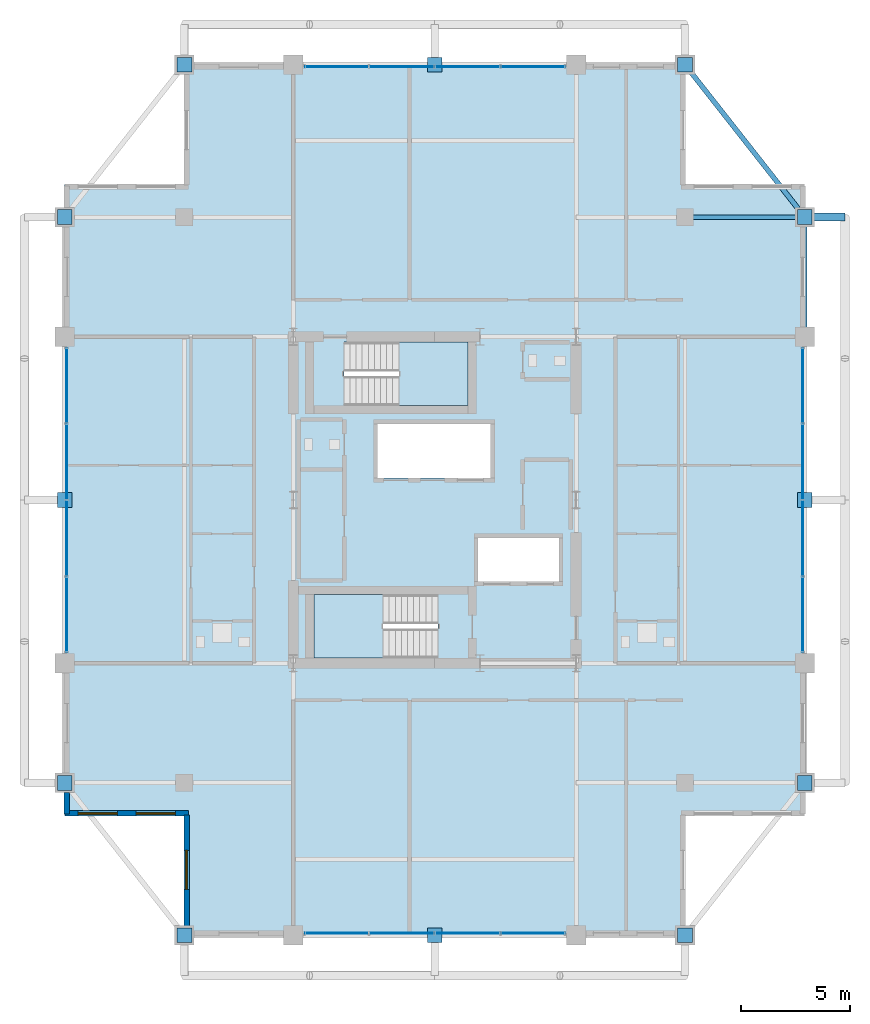
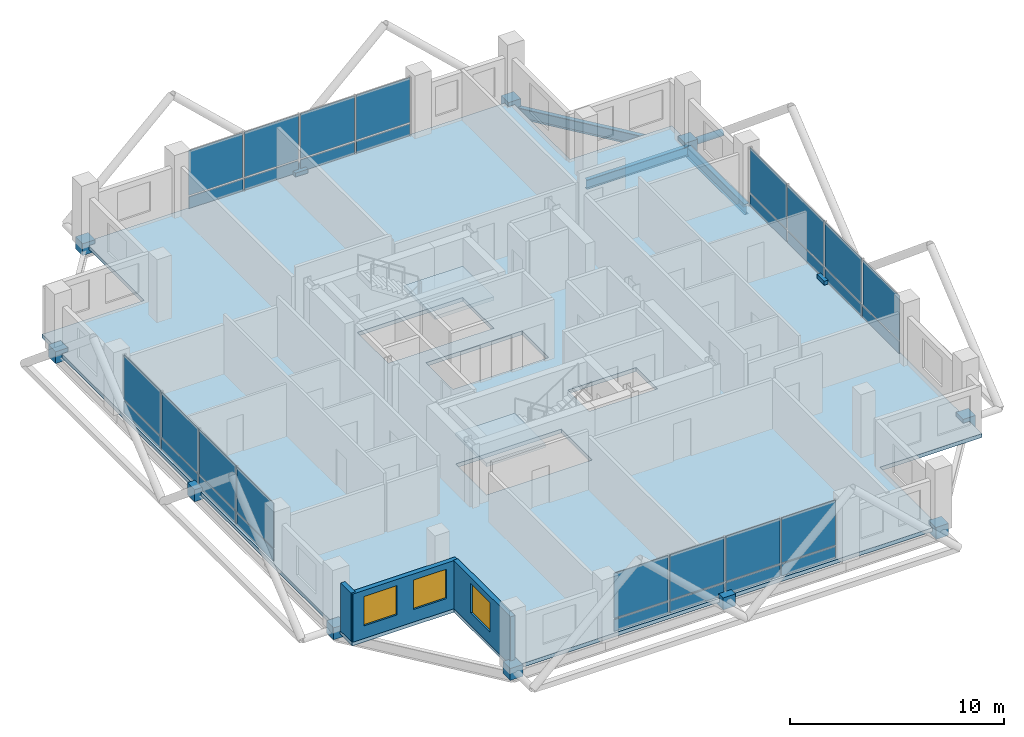
# One storey, part 18 of 24: 44 plates, 3 beams, 3 slabs, 3 walls, 3 windows, 1 member, 3 openings, 6 elements without a shape of their own.
"""IFC4 building model written with IfcOpenShell, lengths in metres."""

from ifc_helpers import new_model, si_unit, direction, frame, frame_2d, origin, origin_2d, place, context, subcontext, project, spatial, polyline, rectangle, hollow_circle, i_section, outline, extrude, material, layer, layer_set, material_profile, profile_set, type_object, element, fill, aggregate, save


model = new_model("IFC4")

# Units and contexts
model_context = context("Model", 3, precision=1e-05, world=origin(), true_north=direction((0.0, 1.0)))
body_context = subcontext(model_context, "Body", "Model", "MODEL_VIEW")
ifc_project = project(units=[si_unit("LENGTHUNIT", "METRE"), si_unit("AREAUNIT", "SQUARE_METRE"), si_unit("VOLUMEUNIT", "CUBIC_METRE"), si_unit("PLANEANGLEUNIT", "RADIAN"), si_unit("MASSUNIT", "GRAM", prefix="KILO")], contexts=[model_context])

# Site, building, storey
site_placement = place(None, origin())
site = spatial("IfcSite", under=ifc_project, at=site_placement, CompositionType="ELEMENT")
building_placement = place(site_placement, origin())
building = spatial("IfcBuilding", under=site, at=building_placement, Name="Barlavira Tower and Art Museum", CompositionType="ELEMENT")
storey_placement = place(building_placement, frame((0.0, 0.0, 294.300048828125)))
storey = spatial("IfcBuildingStorey", under=building, at=storey_placement, Name="L77", CompositionType="ELEMENT", Elevation=294.300048828125)

# Member
ifc_material_1 = material(Name="Steel S355", Category="steel")
ifc_material_profile_1 = material_profile(ifc_material_1, hollow_circle(Radius=0.177734375, WallThickness=0.01611328125, at=origin_2d()), Name="CHS 355.6x16.0")
ifc_profile_set_1 = profile_set([ifc_material_profile_1], Name="Steel S355")
member_type = type_object("IfcMemberType", Name="Pale-Metal Exoskeleton Tie Strut CHS 356x16 Steel S355", PredefinedType="STRUT", material=ifc_profile_set_1)
member_placement = place(storey_placement, frame((18.85009765625, 13.0, -0.1201171875), z_axis=(-1.0, 0.0, 0.0), x_axis=(0.0, -1.0, 0.0)))
element("IfcMember", 1, at=member_placement, inside=storey, type_object=member_type, Name="L77 Exoskeleton Tie Strut E3", PredefinedType="STRUT", context=body_context, shape_type="SweptSolid", body=[
    extrude(hollow_circle(Radius=0.177734375, WallThickness=0.01611328125, at=origin_2d()), origin(), (0.0, 0.0, 1.0), 1.85009765625),
])

# Beams
ifc_material_profile_2 = material_profile(ifc_material_1, i_section(OverallWidth=0.22998046875, OverallDepth=0.616943359375, WebThickness=0.01318359375, FlangeThickness=0.022216796875, at=origin_2d()), Name="W610x140.0")
ifc_profile_set_2 = profile_set([ifc_material_profile_2], Name="Steel S355")
beam_type_1 = type_object("IfcBeamType", Name="Upper Shaft Spandrel Edge Beam W610x140 Steel S355", PredefinedType="SPANDREL", material=ifc_profile_set_2)
beam_1_placement = place(storey_placement, frame((17.0, 7.5, -0.528564453125), z_axis=(0.0, 1.0, 0.0), x_axis=(-1.0, 0.0, 0.0)))
element("IfcBeam", 2, at=beam_1_placement, inside=storey, type_object=beam_type_1, Name="L77 Spandrel 7", PredefinedType="SPANDREL", context=body_context, shape_type="SweptSolid", body=[
    extrude(i_section(OverallWidth=0.22998046875, OverallDepth=0.616943359375, WebThickness=0.01318359375, FlangeThickness=0.022216796875, at=origin_2d()), origin(), (0.0, 0.0, 1.0), 5.5),
])
beam_2_placement = place(storey_placement, frame((17.0, 13.0, -0.528564453125), z_axis=(-0.617821551932, 0.786318338822, 0.0), x_axis=(-0.786318338822, -0.617821551932, 0.0)))
element("IfcBeam", 3, at=beam_2_placement, inside=storey, type_object=beam_type_1, Name="L77 Spandrel 8", PredefinedType="SPANDREL", context=body_context, shape_type="SweptSolid", body=[
    extrude(i_section(OverallWidth=0.22998046875, OverallDepth=0.616943359375, WebThickness=0.01318359375, FlangeThickness=0.022216796875, at=origin_2d()), origin(), (0.0, 0.0, 1.0), 8.90234375),
])
ifc_material_profile_3 = material_profile(ifc_material_1, i_section(OverallWidth=0.2109375, OverallDepth=0.5390625, WebThickness=0.01171875, FlangeThickness=0.018798828125, at=origin_2d()), Name="W530x109.0")
ifc_profile_set_3 = profile_set([ifc_material_profile_3], Name="Steel S355")
beam_type_2 = type_object("IfcBeamType", Name="Zone 3-4 Primary Floor Girder W530x109 Steel S355", PredefinedType="BEAM", material=ifc_profile_set_3)
beam_3_placement = place(storey_placement, frame((11.5, 13.0, -0.489501953125), z_axis=(1.0, 0.0, 0.0), x_axis=(0.0, 1.0, 0.0)))
element("IfcBeam", 4, at=beam_3_placement, inside=storey, type_object=beam_type_2, Name="L77 Girder I-N4", PredefinedType="BEAM", context=body_context, shape_type="SweptSolid", body=[
    extrude(i_section(OverallWidth=0.2109375, OverallDepth=0.5390625, WebThickness=0.01171875, FlangeThickness=0.018798828125, at=origin_2d()), origin(), (0.0, 0.0, 1.0), 5.5),
])

# Curtain wall, plates
ifc_material_2 = material(Name="Low-iron coastal laminated glass", Category="glass")
ifc_layer_1 = layer(ifc_material_2, 0.2099609375, Name="Low-iron coastal laminated glass")
ifc_layer_set_1 = layer_set([ifc_layer_1], Name="Low-iron coastal laminated glass")
curtain_wall_type = type_object("IfcCurtainWallType", Name="Pale-Metal Unitised Curtain Wall Zone 4", PredefinedType="NOTDEFINED", material=ifc_layer_set_1)
curtain_wall_1_placement = place(storey_placement, origin())
curtain_wall_1 = element("IfcCurtainWall", 5, at=curtain_wall_1_placement, inside=storey, type_object=curtain_wall_type, Name="L77 Curtain Wall CW4-L77-S-B2", PredefinedType="NOTDEFINED")
ifc_material_3 = material(Name="Pale anodised aluminium", Category="aluminium")
ifc_layer_2 = layer(ifc_material_3, 0.044921875, Name="Pale anodised aluminium")
ifc_layer_set_2 = layer_set([ifc_layer_2], Name="Pale anodised aluminium")
plate_type_1 = type_object("IfcPlateType", Name="Curtain Wall Pale-Metal Spandrel Panel 45", PredefinedType="CURTAIN_PANEL", material=ifc_layer_set_2)
plate_1_placement = place(storey_placement, frame((-4.5224609375, -19.89990234375, 0.0400390625), z_axis=(0.0, 0.0, 1.0), x_axis=(1.0, 0.0, 0.0)))
plate_1 = element("IfcPlate", 6, at=plate_1_placement, type_object=plate_type_1, Name="CW4-L77-S-B2 Spandrel Panel 0", PredefinedType="CURTAIN_PANEL", context=body_context, shape_type="SweptSolid", body=[
    extrude(rectangle(XDim=2.9150390625, YDim=0.044921875, at=origin_2d()), origin(), (0.0, 0.0, 1.0), 0.6640625),
])
plate_2_placement = place(storey_placement, frame((-1.507568359375, -19.89990234375, 0.0400390625), z_axis=(0.0, 0.0, 1.0), x_axis=(1.0, 0.0, 0.0)))
plate_2 = element("IfcPlate", 7, at=plate_2_placement, type_object=plate_type_1, Name="CW4-L77-S-B2 Spandrel Panel 1", PredefinedType="CURTAIN_PANEL", context=body_context, shape_type="SweptSolid", body=[
    extrude(rectangle(XDim=2.9150390625, YDim=0.044921875, at=origin_2d()), origin(), (0.0, 0.0, 1.0), 0.6640625),
])
plate_3_placement = place(storey_placement, frame((1.507568359375, -19.89990234375, 0.0400390625), z_axis=(0.0, 0.0, 1.0), x_axis=(1.0, 0.0, 0.0)))
plate_3 = element("IfcPlate", 8, at=plate_3_placement, type_object=plate_type_1, Name="CW4-L77-S-B2 Spandrel Panel 2", PredefinedType="CURTAIN_PANEL", context=body_context, shape_type="SweptSolid", body=[
    extrude(rectangle(XDim=2.9150390625, YDim=0.044921875, at=origin_2d()), origin(), (0.0, 0.0, 1.0), 0.6640625),
])
plate_4_placement = place(storey_placement, frame((4.5224609375, -19.89990234375, 0.0400390625), z_axis=(0.0, 0.0, 1.0), x_axis=(1.0, 0.0, 0.0)))
plate_4 = element("IfcPlate", 9, at=plate_4_placement, type_object=plate_type_1, Name="CW4-L77-S-B2 Spandrel Panel 3", PredefinedType="CURTAIN_PANEL", context=body_context, shape_type="SweptSolid", body=[
    extrude(rectangle(XDim=2.9150390625, YDim=0.044921875, at=origin_2d()), origin(), (0.0, 0.0, 1.0), 0.6640625),
])

curtain_wall_2_placement = place(storey_placement, origin())
curtain_wall_2 = element("IfcCurtainWall", 10, at=curtain_wall_2_placement, inside=storey, type_object=curtain_wall_type, Name="L77 Curtain Wall CW4-L77-N-B2", PredefinedType="NOTDEFINED")
plate_5_placement = place(storey_placement, frame((4.5224609375, 19.89990234375, 0.0400390625), z_axis=(0.0, 0.0, 1.0), x_axis=(-1.0, 0.0, 0.0)))
plate_5 = element("IfcPlate", 11, at=plate_5_placement, type_object=plate_type_1, Name="CW4-L77-N-B2 Spandrel Panel 0", PredefinedType="CURTAIN_PANEL", context=body_context, shape_type="SweptSolid", body=[
    extrude(rectangle(XDim=2.9150390625, YDim=0.044921875, at=origin_2d()), origin(), (0.0, 0.0, 1.0), 0.6640625),
])
plate_6_placement = place(storey_placement, frame((1.507568359375, 19.89990234375, 0.0400390625), z_axis=(0.0, 0.0, 1.0), x_axis=(-1.0, 0.0, 0.0)))
plate_6 = element("IfcPlate", 12, at=plate_6_placement, type_object=plate_type_1, Name="CW4-L77-N-B2 Spandrel Panel 1", PredefinedType="CURTAIN_PANEL", context=body_context, shape_type="SweptSolid", body=[
    extrude(rectangle(XDim=2.9150390625, YDim=0.044921875, at=origin_2d()), origin(), (0.0, 0.0, 1.0), 0.6640625),
])
plate_7_placement = place(storey_placement, frame((-1.507568359375, 19.89990234375, 0.0400390625), z_axis=(0.0, 0.0, 1.0), x_axis=(-1.0, 0.0, 0.0)))
plate_7 = element("IfcPlate", 13, at=plate_7_placement, type_object=plate_type_1, Name="CW4-L77-N-B2 Spandrel Panel 2", PredefinedType="CURTAIN_PANEL", context=body_context, shape_type="SweptSolid", body=[
    extrude(rectangle(XDim=2.9150390625, YDim=0.044921875, at=origin_2d()), origin(), (0.0, 0.0, 1.0), 0.6640625),
])
plate_8_placement = place(storey_placement, frame((-4.5224609375, 19.89990234375, 0.0400390625), z_axis=(0.0, 0.0, 1.0), x_axis=(-1.0, 0.0, 0.0)))
plate_8 = element("IfcPlate", 14, at=plate_8_placement, type_object=plate_type_1, Name="CW4-L77-N-B2 Spandrel Panel 3", PredefinedType="CURTAIN_PANEL", context=body_context, shape_type="SweptSolid", body=[
    extrude(rectangle(XDim=2.9150390625, YDim=0.044921875, at=origin_2d()), origin(), (0.0, 0.0, 1.0), 0.6640625),
])

curtain_wall_3_placement = place(storey_placement, origin())
curtain_wall_3 = element("IfcCurtainWall", 15, at=curtain_wall_3_placement, inside=storey, type_object=curtain_wall_type, Name="L77 Curtain Wall CW4-L77-W-B3", PredefinedType="NOTDEFINED")
plate_9_placement = place(storey_placement, frame((-16.89990234375, 5.2724609375, 0.0400390625), z_axis=(0.0, 0.0, 1.0), x_axis=(0.0, -1.0, 0.0)))
plate_9 = element("IfcPlate", 16, at=plate_9_placement, type_object=plate_type_1, Name="CW4-L77-W-B3 Spandrel Panel 0", PredefinedType="CURTAIN_PANEL", context=body_context, shape_type="SweptSolid", body=[
    extrude(rectangle(XDim=3.4150390625, YDim=0.044921875, at=origin_2d()), origin(), (0.0, 0.0, 1.0), 0.6640625),
])
plate_10_placement = place(storey_placement, frame((-16.89990234375, 1.757568359375, 0.0400390625), z_axis=(0.0, 0.0, 1.0), x_axis=(0.0, -1.0, 0.0)))
plate_10 = element("IfcPlate", 17, at=plate_10_placement, type_object=plate_type_1, Name="CW4-L77-W-B3 Spandrel Panel 1", PredefinedType="CURTAIN_PANEL", context=body_context, shape_type="SweptSolid", body=[
    extrude(rectangle(XDim=3.4150390625, YDim=0.044921875, at=origin_2d()), origin(), (0.0, 0.0, 1.0), 0.6640625),
])
plate_11_placement = place(storey_placement, frame((-16.89990234375, -1.757568359375, 0.0400390625), z_axis=(0.0, 0.0, 1.0), x_axis=(0.0, -1.0, 0.0)))
plate_11 = element("IfcPlate", 18, at=plate_11_placement, type_object=plate_type_1, Name="CW4-L77-W-B3 Spandrel Panel 2", PredefinedType="CURTAIN_PANEL", context=body_context, shape_type="SweptSolid", body=[
    extrude(rectangle(XDim=3.4150390625, YDim=0.044921875, at=origin_2d()), origin(), (0.0, 0.0, 1.0), 0.6640625),
])
plate_12_placement = place(storey_placement, frame((-16.89990234375, -5.2724609375, 0.0400390625), z_axis=(0.0, 0.0, 1.0), x_axis=(0.0, -1.0, 0.0)))
plate_12 = element("IfcPlate", 19, at=plate_12_placement, type_object=plate_type_1, Name="CW4-L77-W-B3 Spandrel Panel 3", PredefinedType="CURTAIN_PANEL", context=body_context, shape_type="SweptSolid", body=[
    extrude(rectangle(XDim=3.4150390625, YDim=0.044921875, at=origin_2d()), origin(), (0.0, 0.0, 1.0), 0.6640625),
])

curtain_wall_4_placement = place(storey_placement, origin())
curtain_wall_4 = element("IfcCurtainWall", 20, at=curtain_wall_4_placement, inside=storey, type_object=curtain_wall_type, Name="L77 Curtain Wall CW4-L77-E-B3", PredefinedType="NOTDEFINED")
plate_13_placement = place(storey_placement, frame((16.89990234375, -5.2724609375, 0.0400390625), z_axis=(0.0, 0.0, 1.0), x_axis=(0.0, 1.0, 0.0)))
plate_13 = element("IfcPlate", 21, at=plate_13_placement, type_object=plate_type_1, Name="CW4-L77-E-B3 Spandrel Panel 0", PredefinedType="CURTAIN_PANEL", context=body_context, shape_type="SweptSolid", body=[
    extrude(rectangle(XDim=3.4150390625, YDim=0.044921875, at=origin_2d()), origin(), (0.0, 0.0, 1.0), 0.6640625),
])
plate_14_placement = place(storey_placement, frame((16.89990234375, -1.757568359375, 0.0400390625), z_axis=(0.0, 0.0, 1.0), x_axis=(0.0, 1.0, 0.0)))
plate_14 = element("IfcPlate", 22, at=plate_14_placement, type_object=plate_type_1, Name="CW4-L77-E-B3 Spandrel Panel 1", PredefinedType="CURTAIN_PANEL", context=body_context, shape_type="SweptSolid", body=[
    extrude(rectangle(XDim=3.4150390625, YDim=0.044921875, at=origin_2d()), origin(), (0.0, 0.0, 1.0), 0.6640625),
])
plate_15_placement = place(storey_placement, frame((16.89990234375, 1.757568359375, 0.0400390625), z_axis=(0.0, 0.0, 1.0), x_axis=(0.0, 1.0, 0.0)))
plate_15 = element("IfcPlate", 23, at=plate_15_placement, type_object=plate_type_1, Name="CW4-L77-E-B3 Spandrel Panel 2", PredefinedType="CURTAIN_PANEL", context=body_context, shape_type="SweptSolid", body=[
    extrude(rectangle(XDim=3.4150390625, YDim=0.044921875, at=origin_2d()), origin(), (0.0, 0.0, 1.0), 0.6640625),
])
plate_16_placement = place(storey_placement, frame((16.89990234375, 5.2724609375, 0.0400390625), z_axis=(0.0, 0.0, 1.0), x_axis=(0.0, 1.0, 0.0)))
plate_16 = element("IfcPlate", 24, at=plate_16_placement, type_object=plate_type_1, Name="CW4-L77-E-B3 Spandrel Panel 3", PredefinedType="CURTAIN_PANEL", context=body_context, shape_type="SweptSolid", body=[
    extrude(rectangle(XDim=3.4150390625, YDim=0.044921875, at=origin_2d()), origin(), (0.0, 0.0, 1.0), 0.6640625),
])

# Plate
ifc_layer_3 = layer(ifc_material_2, 0.028076171875, Name="Low-iron coastal laminated glass")
ifc_layer_set_3 = layer_set([ifc_layer_3], Name="Low-iron coastal laminated glass")
plate_type_2 = type_object("IfcPlateType", Name="Curtain Wall Vision Glazing Panel 28", PredefinedType="CURTAIN_PANEL", material=ifc_layer_set_3)
plate_17_placement = place(storey_placement, frame((-4.5224609375, -19.89990234375, 0.7841796875), z_axis=(0.0, 0.0, 1.0), x_axis=(1.0, 0.0, 0.0)))
plate_17 = element("IfcPlate", 25, at=plate_17_placement, type_object=plate_type_2, Name="CW4-L77-S-B2 Vision Glass Panel 0", PredefinedType="CURTAIN_PANEL", context=body_context, shape_type="SweptSolid", body=[
    extrude(rectangle(XDim=2.9150390625, YDim=0.028076171875, at=origin_2d()), origin(), (0.0, 0.0, 1.0), 2.555908203125),
])

plate_18_placement = place(storey_placement, frame((-1.507568359375, -19.89990234375, 0.7841796875), z_axis=(0.0, 0.0, 1.0), x_axis=(1.0, 0.0, 0.0)))
plate_18 = element("IfcPlate", 26, at=plate_18_placement, type_object=plate_type_2, Name="CW4-L77-S-B2 Vision Glass Panel 1", PredefinedType="CURTAIN_PANEL", context=body_context, shape_type="SweptSolid", body=[
    extrude(rectangle(XDim=2.9150390625, YDim=0.028076171875, at=origin_2d()), origin(), (0.0, 0.0, 1.0), 2.555908203125),
])

plate_19_placement = place(storey_placement, frame((1.507568359375, -19.89990234375, 0.7841796875), z_axis=(0.0, 0.0, 1.0), x_axis=(1.0, 0.0, 0.0)))
plate_19 = element("IfcPlate", 27, at=plate_19_placement, type_object=plate_type_2, Name="CW4-L77-S-B2 Vision Glass Panel 2", PredefinedType="CURTAIN_PANEL", context=body_context, shape_type="SweptSolid", body=[
    extrude(rectangle(XDim=2.9150390625, YDim=0.028076171875, at=origin_2d()), origin(), (0.0, 0.0, 1.0), 2.555908203125),
])

plate_20_placement = place(storey_placement, frame((4.5224609375, -19.89990234375, 0.7841796875), z_axis=(0.0, 0.0, 1.0), x_axis=(1.0, 0.0, 0.0)))
plate_20 = element("IfcPlate", 28, at=plate_20_placement, type_object=plate_type_2, Name="CW4-L77-S-B2 Vision Glass Panel 3", PredefinedType="CURTAIN_PANEL", context=body_context, shape_type="SweptSolid", body=[
    extrude(rectangle(XDim=2.9150390625, YDim=0.028076171875, at=origin_2d()), origin(), (0.0, 0.0, 1.0), 2.555908203125),
])

aggregate(curtain_wall_1, [plate_1, plate_17, plate_2, plate_18, plate_3, plate_19, plate_4, plate_20])

plate_21_placement = place(storey_placement, frame((4.5224609375, 19.89990234375, 0.7841796875), z_axis=(0.0, 0.0, 1.0), x_axis=(-1.0, 0.0, 0.0)))
plate_21 = element("IfcPlate", 29, at=plate_21_placement, type_object=plate_type_2, Name="CW4-L77-N-B2 Vision Glass Panel 0", PredefinedType="CURTAIN_PANEL", context=body_context, shape_type="SweptSolid", body=[
    extrude(rectangle(XDim=2.9150390625, YDim=0.028076171875, at=origin_2d()), origin(), (0.0, 0.0, 1.0), 2.555908203125),
])

plate_22_placement = place(storey_placement, frame((1.507568359375, 19.89990234375, 0.7841796875), z_axis=(0.0, 0.0, 1.0), x_axis=(-1.0, 0.0, 0.0)))
plate_22 = element("IfcPlate", 30, at=plate_22_placement, type_object=plate_type_2, Name="CW4-L77-N-B2 Vision Glass Panel 1", PredefinedType="CURTAIN_PANEL", context=body_context, shape_type="SweptSolid", body=[
    extrude(rectangle(XDim=2.9150390625, YDim=0.028076171875, at=origin_2d()), origin(), (0.0, 0.0, 1.0), 2.555908203125),
])

plate_23_placement = place(storey_placement, frame((-1.507568359375, 19.89990234375, 0.7841796875), z_axis=(0.0, 0.0, 1.0), x_axis=(-1.0, 0.0, 0.0)))
plate_23 = element("IfcPlate", 31, at=plate_23_placement, type_object=plate_type_2, Name="CW4-L77-N-B2 Vision Glass Panel 2", PredefinedType="CURTAIN_PANEL", context=body_context, shape_type="SweptSolid", body=[
    extrude(rectangle(XDim=2.9150390625, YDim=0.028076171875, at=origin_2d()), origin(), (0.0, 0.0, 1.0), 2.555908203125),
])

plate_24_placement = place(storey_placement, frame((-4.5224609375, 19.89990234375, 0.7841796875), z_axis=(0.0, 0.0, 1.0), x_axis=(-1.0, 0.0, 0.0)))
plate_24 = element("IfcPlate", 32, at=plate_24_placement, type_object=plate_type_2, Name="CW4-L77-N-B2 Vision Glass Panel 3", PredefinedType="CURTAIN_PANEL", context=body_context, shape_type="SweptSolid", body=[
    extrude(rectangle(XDim=2.9150390625, YDim=0.028076171875, at=origin_2d()), origin(), (0.0, 0.0, 1.0), 2.555908203125),
])

aggregate(curtain_wall_2, [plate_5, plate_21, plate_6, plate_22, plate_7, plate_23, plate_8, plate_24])

plate_25_placement = place(storey_placement, frame((-16.89990234375, 5.2724609375, 0.7841796875), z_axis=(0.0, 0.0, 1.0), x_axis=(0.0, -1.0, 0.0)))
plate_25 = element("IfcPlate", 33, at=plate_25_placement, type_object=plate_type_2, Name="CW4-L77-W-B3 Vision Glass Panel 0", PredefinedType="CURTAIN_PANEL", context=body_context, shape_type="SweptSolid", body=[
    extrude(rectangle(XDim=3.4150390625, YDim=0.028076171875, at=origin_2d()), origin(), (0.0, 0.0, 1.0), 2.555908203125),
])

plate_26_placement = place(storey_placement, frame((-16.89990234375, 1.757568359375, 0.7841796875), z_axis=(0.0, 0.0, 1.0), x_axis=(0.0, -1.0, 0.0)))
plate_26 = element("IfcPlate", 34, at=plate_26_placement, type_object=plate_type_2, Name="CW4-L77-W-B3 Vision Glass Panel 1", PredefinedType="CURTAIN_PANEL", context=body_context, shape_type="SweptSolid", body=[
    extrude(rectangle(XDim=3.4150390625, YDim=0.028076171875, at=origin_2d()), origin(), (0.0, 0.0, 1.0), 2.555908203125),
])

plate_27_placement = place(storey_placement, frame((-16.89990234375, -1.757568359375, 0.7841796875), z_axis=(0.0, 0.0, 1.0), x_axis=(0.0, -1.0, 0.0)))
plate_27 = element("IfcPlate", 35, at=plate_27_placement, type_object=plate_type_2, Name="CW4-L77-W-B3 Vision Glass Panel 2", PredefinedType="CURTAIN_PANEL", context=body_context, shape_type="SweptSolid", body=[
    extrude(rectangle(XDim=3.4150390625, YDim=0.028076171875, at=origin_2d()), origin(), (0.0, 0.0, 1.0), 2.555908203125),
])

plate_28_placement = place(storey_placement, frame((-16.89990234375, -5.2724609375, 0.7841796875), z_axis=(0.0, 0.0, 1.0), x_axis=(0.0, -1.0, 0.0)))
plate_28 = element("IfcPlate", 36, at=plate_28_placement, type_object=plate_type_2, Name="CW4-L77-W-B3 Vision Glass Panel 3", PredefinedType="CURTAIN_PANEL", context=body_context, shape_type="SweptSolid", body=[
    extrude(rectangle(XDim=3.4150390625, YDim=0.028076171875, at=origin_2d()), origin(), (0.0, 0.0, 1.0), 2.555908203125),
])

aggregate(curtain_wall_3, [plate_9, plate_25, plate_10, plate_26, plate_11, plate_27, plate_12, plate_28])

plate_29_placement = place(storey_placement, frame((16.89990234375, -5.2724609375, 0.7841796875), z_axis=(0.0, 0.0, 1.0), x_axis=(0.0, 1.0, 0.0)))
plate_29 = element("IfcPlate", 37, at=plate_29_placement, type_object=plate_type_2, Name="CW4-L77-E-B3 Vision Glass Panel 0", PredefinedType="CURTAIN_PANEL", context=body_context, shape_type="SweptSolid", body=[
    extrude(rectangle(XDim=3.4150390625, YDim=0.028076171875, at=origin_2d()), origin(), (0.0, 0.0, 1.0), 2.555908203125),
])

plate_30_placement = place(storey_placement, frame((16.89990234375, -1.757568359375, 0.7841796875), z_axis=(0.0, 0.0, 1.0), x_axis=(0.0, 1.0, 0.0)))
plate_30 = element("IfcPlate", 38, at=plate_30_placement, type_object=plate_type_2, Name="CW4-L77-E-B3 Vision Glass Panel 1", PredefinedType="CURTAIN_PANEL", context=body_context, shape_type="SweptSolid", body=[
    extrude(rectangle(XDim=3.4150390625, YDim=0.028076171875, at=origin_2d()), origin(), (0.0, 0.0, 1.0), 2.555908203125),
])

plate_31_placement = place(storey_placement, frame((16.89990234375, 1.757568359375, 0.7841796875), z_axis=(0.0, 0.0, 1.0), x_axis=(0.0, 1.0, 0.0)))
plate_31 = element("IfcPlate", 39, at=plate_31_placement, type_object=plate_type_2, Name="CW4-L77-E-B3 Vision Glass Panel 2", PredefinedType="CURTAIN_PANEL", context=body_context, shape_type="SweptSolid", body=[
    extrude(rectangle(XDim=3.4150390625, YDim=0.028076171875, at=origin_2d()), origin(), (0.0, 0.0, 1.0), 2.555908203125),
])

plate_32_placement = place(storey_placement, frame((16.89990234375, 5.2724609375, 0.7841796875), z_axis=(0.0, 0.0, 1.0), x_axis=(0.0, 1.0, 0.0)))
plate_32 = element("IfcPlate", 40, at=plate_32_placement, type_object=plate_type_2, Name="CW4-L77-E-B3 Vision Glass Panel 3", PredefinedType="CURTAIN_PANEL", context=body_context, shape_type="SweptSolid", body=[
    extrude(rectangle(XDim=3.4150390625, YDim=0.028076171875, at=origin_2d()), origin(), (0.0, 0.0, 1.0), 2.555908203125),
])

aggregate(curtain_wall_4, [plate_13, plate_29, plate_14, plate_30, plate_15, plate_31, plate_16, plate_32])

# Plates
ifc_layer_4 = layer(ifc_material_1, 0.679931640625, Name="Steel S355")
ifc_layer_set_4 = layer_set([ifc_layer_4], Name="Steel S355")
plate_type_3 = type_object("IfcPlateType", Name="Exoskeleton Tie-Back Solid Cap Plate Assembly Type 5 Steel S355", PredefinedType="USERDEFINED", material=ifc_layer_set_4)
for number, where, z_axis, x_axis, name in (
    (41, (-11.5, -20.0, -0.4599609375), (0.0, 0.0, 1.0), (1.0, 0.0, 0.0), "Slab Edge Tie Cap Plate S1 ND-L77-0866"),
    (42, (0.0, -20.0, -0.4599609375), (0.0, 0.0, 1.0), (1.0, 0.0, 0.0), "Slab Edge Tie Cap Plate S2 ND-L77-0867"),
    (43, (11.5, -20.0, -0.4599609375), (0.0, 0.0, 1.0), (1.0, 0.0, 0.0), "Slab Edge Tie Cap Plate S3 ND-L77-0868"),
    (44, (-11.5, 20.0, -0.4599609375), (0.0, 0.0, 1.0), (1.0, 0.0, 0.0), "Slab Edge Tie Cap Plate N1 ND-L77-0877"),
    (45, (0.0, 20.0, -0.4599609375), (0.0, 0.0, 1.0), (1.0, 0.0, 0.0), "Slab Edge Tie Cap Plate N2 ND-L77-0878"),
    (46, (11.5, 20.0, -0.4599609375), (0.0, 0.0, 1.0), (1.0, 0.0, 0.0), "Slab Edge Tie Cap Plate N3 ND-L77-0879"),
    (47, (-17.0, -13.0, -0.4599609375), (0.0, 0.0, 1.0), (1.0, 0.0, 0.0), "Slab Edge Tie Cap Plate W1 ND-L77-0888"),
    (48, (-17.0, 0.0, -0.4599609375), (0.0, 0.0, 1.0), (1.0, 0.0, 0.0), "Slab Edge Tie Cap Plate W2 ND-L77-0889"),
    (49, (-17.0, 13.0, -0.4599609375), (0.0, 0.0, 1.0), (1.0, 0.0, 0.0), "Slab Edge Tie Cap Plate W3 ND-L77-0890"),
    (50, (17.0, -13.0, -0.4599609375), (0.0, 0.0, 1.0), (1.0, 0.0, 0.0), "Slab Edge Tie Cap Plate E1 ND-L77-0899"),
    (51, (17.0, 0.0, -0.4599609375), (0.0, 0.0, 1.0), (1.0, 0.0, 0.0), "Slab Edge Tie Cap Plate E2 ND-L77-0900"),
    (52, (17.0, 13.0, -0.4599609375), (0.0, 0.0, 1.0), (1.0, 0.0, 0.0), "Slab Edge Tie Cap Plate E3 ND-L77-0901"),
):
    element("IfcPlate", number, at=place(storey_placement, frame(where, z_axis=z_axis, x_axis=x_axis)), inside=storey, type_object=plate_type_3, Name=name, ObjectType="FLANGE_PLATE", PredefinedType="USERDEFINED", context=body_context, shape_type="SweptSolid", body=[
        extrude(rectangle(XDim=0.679931640625, YDim=0.679931640625, at=origin_2d()), origin(), (0.0, 0.0, 1.0), 0.679931640625),
    ])

# Stair, slab
ifc_material_4 = material(Name="Concrete C45", Category="concrete")
stair_type_1 = type_object("IfcStairType", Name="Tower North Dog-Leg Exit Stair Assembly Concrete C45", PredefinedType="TWO_QUARTER_TURN_STAIR", material=ifc_material_4)
stair_1_placement = place(storey_placement, origin())
stair_1 = element("IfcStair", 53, at=stair_1_placement, inside=storey, type_object=stair_type_1, Name="L77 Tower North Exit Stair ST-T2", PredefinedType="TWO_QUARTER_TURN_STAIR")
ifc_layer_5 = layer(ifc_material_4, 0.199951171875, Name="Concrete C45")
ifc_layer_set_5 = layer_set([ifc_layer_5], Name="Concrete C45")
slab_type_1 = type_object("IfcSlabType", Name="Tower North Dog-Leg Exit Stair Half-Landing Slab 200 Concrete C45", PredefinedType="LANDING", material=ifc_layer_set_5)
slab_1_placement = place(storey_placement, frame((0.0, 0.0, 1.599853515625)))
slab_1 = element("IfcSlab", 54, at=slab_1_placement, type_object=slab_type_1, Name="ST-T2 landing 1", PredefinedType="LANDING", context=body_context, shape_type="SweptSolid", body=[
    extrude(outline(polyline([(-1.64990234375, 4.35009765625), (1.530029296875, 4.35009765625), (1.530029296875, 7.25), (-1.64990234375, 7.25), (-1.64990234375, 4.35009765625)])), origin(), (0.0, 0.0, 1.0), 0.2001953125),
])
aggregate(stair_1, [slab_1])

stair_type_2 = type_object("IfcStairType", Name="Tower South Dog-Leg Exit Stair Assembly Concrete C45", PredefinedType="TWO_QUARTER_TURN_STAIR", material=ifc_material_4)
stair_2_placement = place(storey_placement, origin())
stair_2 = element("IfcStair", 55, at=stair_2_placement, inside=storey, type_object=stair_type_2, Name="L77 Tower South Exit Stair ST-T1", PredefinedType="TWO_QUARTER_TURN_STAIR")
ifc_layer_6 = layer(ifc_material_4, 0.199951171875, Name="Concrete C45")
ifc_layer_set_6 = layer_set([ifc_layer_6], Name="Concrete C45")
slab_type_2 = type_object("IfcSlabType", Name="Tower South Dog-Leg Exit Stair Half-Landing Slab 200 Concrete C45", PredefinedType="LANDING", material=ifc_layer_set_6)
slab_2_placement = place(storey_placement, frame((0.0, 0.0, 1.599853515625)))
slab_2 = element("IfcSlab", 56, at=slab_2_placement, type_object=slab_type_2, Name="ST-T1 landing 1", PredefinedType="LANDING", context=body_context, shape_type="SweptSolid", body=[
    extrude(outline(polyline([(-2.3701171875, -4.35009765625), (-5.550048828125, -4.35009765625), (-5.550048828125, -7.25), (-2.3701171875, -7.25), (-2.3701171875, -4.35009765625)])), origin(), (0.0, 0.0, 1.0), 0.2001953125),
])
aggregate(stair_2, [slab_2])

# Slab
ifc_material_5 = material(Name="Concrete C50", Category="concrete")
ifc_layer_7 = layer(ifc_material_5, 0.18994140625, Name="Concrete C50")
ifc_layer_set_7 = layer_set([ifc_layer_7], Name="Concrete C50")
slab_type_3 = type_object("IfcSlabType", Name="Zone 4 Residential Composite Slab 190 Concrete C50", PredefinedType="FLOOR", material=ifc_layer_set_7)
slab_3_placement = place(storey_placement, frame((0.0, 0.0, -0.219970703125)))
element("IfcSlab", 57, at=slab_3_placement, inside=storey, type_object=slab_type_3, Name="L77 Tower Floor Slab", PredefinedType="FLOOR", context=body_context, shape_type="SweptSolid", body=[
    extrude(outline(polyline([(-11.5, -20.0), (11.5, -20.0), (11.5, -14.5), (17.0, -14.5), (17.0, 14.5), (11.5, 14.5), (11.5, 20.0), (-11.5, 20.0), (-11.5, 14.5), (-17.0, 14.5), (-17.0, -14.5), (-11.5, -14.5), (-11.5, -20.0)]), holes=[polyline([(0.14990234375, -4.35009765625), (-5.550048828125, -4.35009765625), (-5.550048828125, -7.25), (0.14990234375, -7.25), (0.14990234375, -4.35009765625)]), polyline([(-4.169921875, 4.35009765625), (1.530029296875, 4.35009765625), (1.530029296875, 7.25), (-4.169921875, 7.25), (-4.169921875, 4.35009765625)]), polyline([(-2.6201171875, 1.0), (2.56005859375, 1.0), (2.56005859375, 3.5), (-2.6201171875, 3.5), (-2.6201171875, 1.0)]), polyline([(2.0, -3.75), (5.699951171875, -3.75), (5.699951171875, -1.75), (2.0, -1.75), (2.0, -3.75)])]), origin(), (0.0, 0.0, 1.0), 0.219970703125),
])

# Wall
ifc_material_6 = material(Name="Precast concrete C40", Category="concrete")
ifc_layer_8 = layer(ifc_material_6, 0.25, Name="Precast concrete C40")
ifc_layer_set_8 = layer_set([ifc_layer_8], Name="Precast concrete C40")
wall_type = type_object("IfcWallType", Name="Notched Corner Spandrel Wall 250 Precast Concrete C40", PredefinedType="SOLIDWALL", material=ifc_layer_set_8)
wall_1_placement = place(storey_placement, frame((-16.89990234375, -13.445068359375, 0.0), z_axis=(0.0, 0.0, 1.0), x_axis=(0.0, -1.0, 0.0)))
element("IfcWall", 58, at=wall_1_placement, inside=storey, type_object=wall_type, Name="L77 Coastal Facade Pier Wall CW4-L77-W-5", PredefinedType="SOLIDWALL", context=body_context, shape_type="SweptSolid", body=[
    extrude(rectangle(XDim=0.97998046875, YDim=0.25, at=frame_2d((0.489990234375, 0.0))), origin(), (0.0, 0.0, 1.0), 2.748046875),
])

# Wall, openings, windows
wall_2_placement = place(storey_placement, frame((-16.97998046875, -14.39990234375, 0.0), z_axis=(0.0, 0.0, 1.0), x_axis=(1.0, 0.0, 0.0)))
wall_2 = element("IfcWall", 59, at=wall_2_placement, inside=storey, type_object=wall_type, Name="L77 Notch Corner Wall SW1", PredefinedType="SOLIDWALL", context=body_context, shape_type="SweptSolid", body=[
    extrude(rectangle(XDim=5.659912109375, YDim=0.25, at=frame_2d((2.830078125, 0.0))), origin(), (0.0, 0.0, 1.0), 2.748046875),
])
opening_1_placement = place(wall_2_placement, frame((0.594970703125, 0.0, 0.719970703125)))
opening_1 = element("IfcOpeningElement", 60, at=opening_1_placement, cuts=wall_2, Name="Opening WN-01", PredefinedType="OPENING", context=body_context, shape_type="SweptSolid", body=[
    extrude(rectangle(XDim=1.800048828125, YDim=1.679931640625, at=frame_2d((0.89990234375, 0.83984375))), frame((0.0, 0.135009765625, 0.0), z_axis=(0.0, -1.0, 0.0), x_axis=(1.0, 0.0, 0.0)), (0.0, 0.0, 1.0), 0.27001953125),
])
opening_2_placement = place(wall_2_placement, frame((3.264892578125, 0.0, 0.719970703125)))
opening_2 = element("IfcOpeningElement", 61, at=opening_2_placement, cuts=wall_2, Name="Opening WN-01", PredefinedType="OPENING", context=body_context, shape_type="SweptSolid", body=[
    extrude(rectangle(XDim=1.800048828125, YDim=1.679931640625, at=frame_2d((0.89990234375, 0.83984375))), frame((0.0, 0.135009765625, 0.0), z_axis=(0.0, -1.0, 0.0), x_axis=(1.0, 0.0, 0.0)), (0.0, 0.0, 1.0), 0.27001953125),
])
window_type = type_object("IfcWindowType", Name="Recessed Notch Corner Punch Window 1800x1680", PartitioningType="SINGLE_PANEL", PredefinedType="WINDOW", material=ifc_material_2)
window_1_placement = place(opening_1_placement, origin())
window_1 = element("IfcWindow", 62, at=window_1_placement, inside=storey, type_object=window_type, Name="L77 Punched Facade Window EW-NTC-L77-SW1-1", OverallHeight=1.679931640625, OverallWidth=1.800048828125, PartitioningType="SINGLE_PANEL", PredefinedType="WINDOW", context=body_context, shape_type="SweptSolid", body=[
    extrude(rectangle(XDim=1.800048828125, YDim=1.679931640625, at=frame_2d((0.89990234375, 0.83984375))), frame((0.0, 0.030029296875, 0.0), z_axis=(0.0, -1.0, 0.0), x_axis=(1.0, 0.0, 0.0)), (0.0, 0.0, 1.0), 0.06005859375),
])
fill(opening_1, window_1)
window_2_placement = place(opening_2_placement, origin())
window_2 = element("IfcWindow", 63, at=window_2_placement, inside=storey, type_object=window_type, Name="L77 Punched Facade Window EW-NTC-L77-SW1-2", OverallHeight=1.679931640625, OverallWidth=1.800048828125, PartitioningType="SINGLE_PANEL", PredefinedType="WINDOW", context=body_context, shape_type="SweptSolid", body=[
    extrude(rectangle(XDim=1.800048828125, YDim=1.679931640625, at=frame_2d((0.89990234375, 0.83984375))), frame((0.0, 0.030029296875, 0.0), z_axis=(0.0, -1.0, 0.0), x_axis=(1.0, 0.0, 0.0)), (0.0, 0.0, 1.0), 0.06005859375),
])
fill(opening_2, window_2)

# Wall, opening, window
wall_3_placement = place(storey_placement, frame((-11.39990234375, -14.47998046875, 0.0), z_axis=(0.0, 0.0, 1.0), x_axis=(0.0, -1.0, 0.0)))
wall_3 = element("IfcWall", 64, at=wall_3_placement, inside=storey, type_object=wall_type, Name="L77 Notch Corner Wall SW2", PredefinedType="SOLIDWALL", context=body_context, shape_type="SweptSolid", body=[
    extrude(rectangle(XDim=5.340087890625, YDim=0.25, at=frame_2d((2.669921875, 0.0))), origin(), (0.0, 0.0, 1.0), 2.748046875),
])
opening_3_placement = place(wall_3_placement, frame((1.614990234375, 0.0, 0.719970703125)))
opening_3 = element("IfcOpeningElement", 65, at=opening_3_placement, cuts=wall_3, Name="Opening WN-01", PredefinedType="OPENING", context=body_context, shape_type="SweptSolid", body=[
    extrude(rectangle(XDim=1.800048828125, YDim=1.679931640625, at=frame_2d((0.89990234375, 0.83984375))), frame((0.0, 0.135009765625, 0.0), z_axis=(0.0, -1.0, 0.0), x_axis=(1.0, 0.0, 0.0)), (0.0, 0.0, 1.0), 0.27001953125),
])
window_3_placement = place(opening_3_placement, origin())
window_3 = element("IfcWindow", 66, at=window_3_placement, inside=storey, type_object=window_type, Name="L77 Punched Facade Window EW-NTC-L77-SW2-1", OverallHeight=1.679931640625, OverallWidth=1.800048828125, PartitioningType="SINGLE_PANEL", PredefinedType="WINDOW", context=body_context, shape_type="SweptSolid", body=[
    extrude(rectangle(XDim=1.800048828125, YDim=1.679931640625, at=frame_2d((0.89990234375, 0.83984375))), frame((0.0, 0.030029296875, 0.0), z_axis=(0.0, -1.0, 0.0), x_axis=(1.0, 0.0, 0.0)), (0.0, 0.0, 1.0), 0.06005859375),
])
fill(opening_3, window_3)

save(model, "model.ifc")
